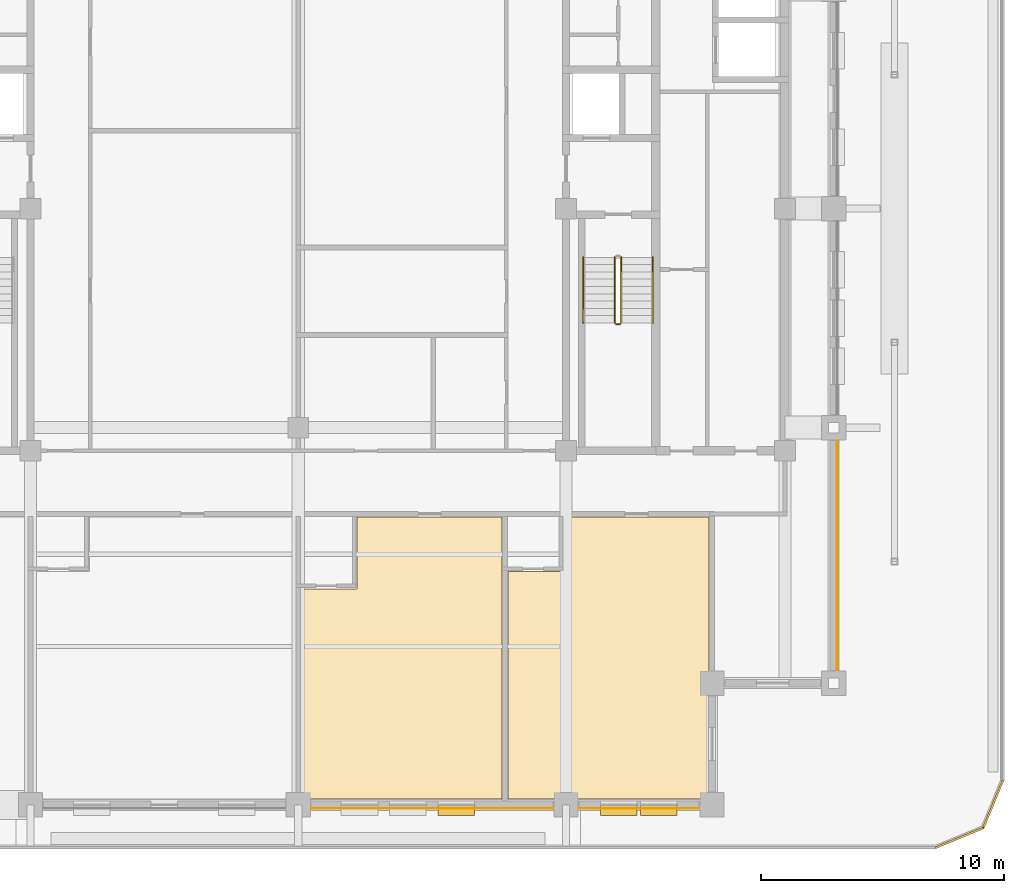
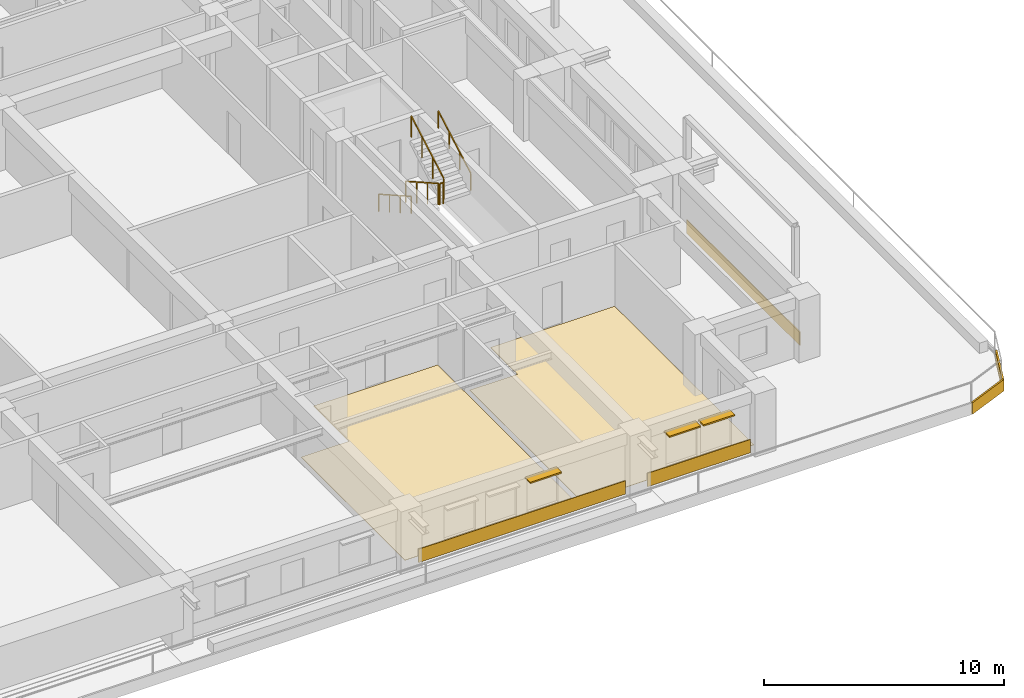
# One storey, part 16 of 18: 7 coverings, 5 railings, 3 shading devices.
"""IFC4 building model written with IfcOpenShell, lengths in metres."""

import ifcopenshell
import ifcopenshell.guid

model = None  # the IFC model being written
_history = None  # IfcOwnerHistory: only IFC2X3 demands one
_inside = {}  # id of a spatial element -> (the spatial element, [elements in it])
_under = {}  # id of a project, library or spatial element -> (it, [spatial elements below it])
_declared = {}  # id of a project -> (the project, [libraries it declares])
_typed = {}  # id of a type object -> (the type object, [elements of that type])
_made_of = {}  # id of a material, layer set ... -> (it, [elements and type objects made of it])


def new_model(schema):
    """Start an empty IFC model of exactly this schema.

    Asked for "IFC4X3", IfcOpenShell would pick the latest addendum, in which some entities
    have other attributes; the version numbers below select the first issue.
    IFC2X3 requires an IfcOwnerHistory on every rooted entity: one is made here for all.
    """
    global model, _history
    if schema == "IFC4X3":
        model = ifcopenshell.file(schema_version=(4, 3, 0, 0))
    else:
        model = ifcopenshell.file(schema=schema)
    _inside.clear()
    _under.clear()
    _declared.clear()
    _typed.clear()
    _made_of.clear()
    _history = None
    if model.schema == "IFC2X3":
        org = make("IfcOrganization", Name="unknown")
        user = make(
            "IfcPersonAndOrganization",
            ThePerson=make("IfcPerson", FamilyName="unknown"),
            TheOrganization=org,
        )
        app = make(
            "IfcApplication",
            ApplicationDeveloper=org,
            Version="unknown",
            ApplicationFullName="unknown",
            ApplicationIdentifier="unknown",
        )
        _history = make(
            "IfcOwnerHistory",
            OwningUser=user,
            OwningApplication=app,
            ChangeAction="ADDED",
            CreationDate=0,
        )
    return model


def make(cls, **values):
    """One entity of the class cls with the attributes given. An attribute that is None is left unset."""
    return model.create_entity(
        cls, **{name: value for name, value in values.items() if value is not None}
    )


def rooted(cls, **values):
    """An entity with a GlobalId (a new one), such as an element, a storey or a relation."""
    return make(cls, GlobalId=ifcopenshell.guid.new(), OwnerHistory=_history, **values)


def si_unit(unit_type, name, prefix=None):
    """IfcSIUnit, for example si_unit("LENGTHUNIT", "METRE", prefix="MILLI")."""
    return make("IfcSIUnit", UnitType=unit_type, Prefix=prefix, Name=name)


def assignment(units):
    """IfcUnitAssignment: the units of a project."""
    return None if units is None else make("IfcUnitAssignment", Units=units)


def point(xyz):
    """IfcCartesianPoint."""
    return None if xyz is None else make("IfcCartesianPoint", Coordinates=xyz)


def direction(xyz):
    """IfcDirection."""
    return None if xyz is None else make("IfcDirection", DirectionRatios=xyz)


def frame(location, z_axis=None, x_axis=None):
    """IfcAxis2Placement3D, a coordinate frame: its origin and axes. An axis left out is left unset."""
    return make(
        "IfcAxis2Placement3D",
        Location=point(location),
        Axis=direction(z_axis),
        RefDirection=direction(x_axis),
    )


def frame_2d(location, x_axis=None):
    """IfcAxis2Placement2D, a coordinate frame in the plane: its origin and x axis."""
    return make(
        "IfcAxis2Placement2D", Location=point(location), RefDirection=direction(x_axis)
    )


def origin():
    """The frame at (0, 0, 0) with its axes left unset."""
    return frame((0.0, 0.0, 0.0))


def origin_2d():
    """The frame at (0, 0) in the plane with its x axis left unset."""
    return frame_2d((0.0, 0.0))


def place(relative_to, where):
    """IfcLocalPlacement: puts the frame where relative to a parent placement (None: the world)."""
    return make(
        "IfcLocalPlacement", PlacementRelTo=relative_to, RelativePlacement=where
    )


def context(
    kind, dimensions, precision=None, world=None, true_north=None, identifier=None
):
    """IfcGeometricRepresentationContext, for example the 3D "Model" context."""
    return make(
        "IfcGeometricRepresentationContext",
        ContextIdentifier=identifier,
        ContextType=kind,
        CoordinateSpaceDimension=dimensions,
        Precision=precision,
        WorldCoordinateSystem=world,
        TrueNorth=true_north,
    )


def subcontext(parent, identifier, kind, view, scale=None):
    """IfcGeometricRepresentationSubContext, for example "Body" below "Model"."""
    return make(
        "IfcGeometricRepresentationSubContext",
        ContextIdentifier=identifier,
        ContextType=kind,
        ParentContext=parent,
        TargetScale=scale,
        TargetView=view,
    )


def project(units=None, contexts=None):
    """IfcProject with its units and contexts."""
    return rooted(
        "IfcProject",
        Name="project",
        RepresentationContexts=contexts,
        UnitsInContext=assignment(units),
    )


def spatial(cls, under=None, at=None, **own):
    """A site, building, storey or space (cls), placed at a placement, below another one or the project."""
    s = rooted(cls, ObjectPlacement=at, **own)
    if under is not None:
        _under.setdefault(under.id(), (under, []))[1].append(s)
    return s


def polyline(points):
    """IfcPolyline through the points."""
    return make("IfcPolyline", Points=[point(p) for p in points])


def profile(cls, at=None, kind="AREA", **sizes):
    """A parametric profile (cls). Its sizes go by their IFC names, for example OverallWidth=200.0."""
    return make(cls, ProfileType=kind, Position=at, **sizes)


def rectangle(**sizes):
    """IfcRectangleProfileDef."""
    return profile("IfcRectangleProfileDef", **sizes)


def outline(outer, holes=None, kind="AREA"):
    """IfcArbitraryClosedProfileDef: a profile drawn as a closed curve; with holes, ...WithVoids."""
    if holes is None:
        return make("IfcArbitraryClosedProfileDef", ProfileType=kind, OuterCurve=outer)
    return make(
        "IfcArbitraryProfileDefWithVoids",
        ProfileType=kind,
        OuterCurve=outer,
        InnerCurves=holes,
    )


def extrude(swept, where, along, depth):
    """IfcExtrudedAreaSolid: the profile swept, set in the frame where, extruded along a direction by depth."""
    return make(
        "IfcExtrudedAreaSolid",
        SweptArea=swept,
        Position=where,
        ExtrudedDirection=direction(along),
        Depth=depth,
    )


def shape(context_of_items, identifier, shape_type, items):
    """IfcShapeRepresentation: the items that make up one representation, for example the "Body"."""
    return make(
        "IfcShapeRepresentation",
        ContextOfItems=context_of_items,
        RepresentationIdentifier=identifier,
        RepresentationType=shape_type,
        Items=items,
    )


def material(Name=None, Category=None):
    """IfcMaterial."""
    return make("IfcMaterial", Name=Name, Category=Category)


def layer(
    of_material, thickness, ventilated=None, Name=None, Category=None, Priority=None
):
    """IfcMaterialLayer: one layer of a wall or slab, of a material (None: an air gap)."""
    return make(
        "IfcMaterialLayer",
        Material=of_material,
        LayerThickness=thickness,
        IsVentilated=ventilated,
        Name=Name,
        Category=Category,
        Priority=Priority,
    )


def layer_set(layers, Name=None):
    """IfcMaterialLayerSet."""
    return make("IfcMaterialLayerSet", MaterialLayers=layers, LayerSetName=Name)


def made_of(thing, what):
    """Note that an element or type object is made of a material, layer set ...; save() writes the relation."""
    if what is not None:
        _made_of.setdefault(what.id(), (what, []))[1].append(thing)
    return thing


def type_object(cls, material=None, **own):
    """A type object (cls), such as IfcWallType, which elements share."""
    return made_of(rooted(cls, **own), material)


def element(
    cls,
    number,
    at=None,
    inside=None,
    cuts=None,
    type_object=None,
    material=None,
    context=None,
    identifier="Body",
    shape_type=None,
    held_by="IfcProductDefinitionShape",
    body=None,
    shapes=None,
    **own,
):
    """One element of the class cls, such as IfcWall. Its Tag is "e" and its number.

    at: its placement. inside: the storey or other place that contains it. cuts: it is an
    opening in that element (IfcRelVoidsElement). A single representation is given by context,
    identifier, shape_type and body (its items); several are given by shapes. held_by: the class
    of the entity that holds the representations. save() writes the other relations.
    """
    e = rooted(cls, Tag="e%d" % number, ObjectPlacement=at, **own)
    if body is not None:
        shapes = [shape(context, identifier, shape_type, body)]
    if shapes is not None:
        e.Representation = make(held_by, Representations=shapes)
    if inside is not None:
        _inside.setdefault(inside.id(), (inside, []))[1].append(e)
    if cuts is not None:
        rooted(
            "IfcRelVoidsElement", RelatingBuildingElement=cuts, RelatedOpeningElement=e
        )
    if type_object is not None:
        _typed.setdefault(type_object.id(), (type_object, []))[1].append(e)
    return made_of(e, material)


def aggregate(whole, parts):
    """IfcRelAggregates: a whole, such as a stair, and the parts it consists of."""
    return rooted("IfcRelAggregates", RelatingObject=whole, RelatedObjects=parts)


def save(model, path):
    """Write the relations noted so far, then the file.

    IfcRelAggregates (storeys below a building ...), IfcRelContainedInSpatialStructure (elements
    in a storey), IfcRelDefinesByType, IfcRelAssociatesMaterial and IfcRelDeclares: one each for
    every whole, place, type object, material and project.
    """
    for whole, parts in _under.values():
        aggregate(whole, parts)
    for where, things in _inside.values():
        rooted(
            "IfcRelContainedInSpatialStructure",
            RelatedElements=things,
            RelatingStructure=where,
        )
    for kind, things in _typed.values():
        rooted("IfcRelDefinesByType", RelatedObjects=things, RelatingType=kind)
    for what, things in _made_of.values():
        rooted("IfcRelAssociatesMaterial", RelatedObjects=things, RelatingMaterial=what)
    for by, libraries in _declared.values():
        rooted("IfcRelDeclares", RelatingContext=by, RelatedDefinitions=libraries)
    model.write(path)


model = new_model("IFC4")

# Units and contexts
model_context = context("Model", 3, precision=1e-05, world=origin(), true_north=direction((0.0, 1.0)))
body_context = subcontext(model_context, "Body", "Model", "MODEL_VIEW")
ifc_project = project(units=[si_unit("LENGTHUNIT", "METRE"), si_unit("AREAUNIT", "SQUARE_METRE"), si_unit("VOLUMEUNIT", "CUBIC_METRE"), si_unit("PLANEANGLEUNIT", "RADIAN"), si_unit("MASSUNIT", "GRAM", prefix="KILO")], contexts=[model_context])

# Site, building, storey
site_placement = place(None, origin())
site = spatial("IfcSite", under=ifc_project, at=site_placement, CompositionType="ELEMENT")
building_placement = place(site_placement, origin())
building = spatial("IfcBuilding", under=site, at=building_placement, Name="Zulmaris Gate Convention Tower", CompositionType="ELEMENT")
storey_placement = place(building_placement, frame((0.0, 0.0, 191.4599609375)))
storey = spatial("IfcBuildingStorey", under=building, at=storey_placement, Name="L49", CompositionType="ELEMENT", Elevation=191.4599609375)

# Coverings
ifc_material_1 = material(Name="Precast concrete C40/50", Category="concrete")
ifc_layer_1 = layer(ifc_material_1, 0.0400390625, Name="Precast concrete C40/50")
ifc_layer_set_1 = layer_set([ifc_layer_1], Name="Precast concrete C40/50")
covering_type_1 = type_object("IfcCoveringType", Name="CLAD-SPANDREL-PRECAST", PredefinedType="CLADDING", material=ifc_layer_set_1)
covering_1_placement = place(storey_placement, frame((0.530029296875, -24.64990234375, 0.0), z_axis=(0.0, 0.0, 1.0), x_axis=(1.0, 0.0, 0.0)))
element("IfcCovering", 1, at=covering_1_placement, inside=storey, type_object=covering_type_1, Name="CLD-L49-S-2_0", PredefinedType="CLADDING", context=body_context, shape_type="SweptSolid", body=[
    extrude(rectangle(XDim=9.93994140625, YDim=0.0400390625, at=frame_2d((4.969970703125, 0.0))), origin(), (0.0, 0.0, 1.0), 0.679931640625),
])
covering_2_placement = place(storey_placement, frame((11.530029296875, -24.64990234375, 0.0), z_axis=(0.0, 0.0, 1.0), x_axis=(1.0, 0.0, 0.0)))
element("IfcCovering", 2, at=covering_2_placement, inside=storey, type_object=covering_type_1, Name="CLD-L49-S-3_0", PredefinedType="CLADDING", context=body_context, shape_type="SweptSolid", body=[
    extrude(rectangle(XDim=4.93994140625, YDim=0.0400390625, at=frame_2d((2.469970703125, 0.0))), origin(), (0.0, 0.0, 1.0), 0.679931640625),
])
covering_3_placement = place(storey_placement, frame((22.14990234375, -18.969970703125, 0.0), z_axis=(0.0, 0.0, 1.0), x_axis=(0.0, 1.0, 0.0)))
element("IfcCovering", 3, at=covering_3_placement, inside=storey, type_object=covering_type_1, Name="CLD-L49-E-0_0", PredefinedType="CLADDING", context=body_context, shape_type="SweptSolid", body=[
    extrude(rectangle(XDim=9.43994140625, YDim=0.0400390625, at=frame_2d((4.719970703125, 0.0))), origin(), (0.0, 0.0, 1.0), 0.679931640625),
])
ifc_material_2 = material(Name="White Glazed Architectural Precast Concrete C40/50", Category="concrete")
ifc_layer_2 = layer(ifc_material_2, 0.080078125, Name="White Glazed Architectural Precast Concrete C40/50")
ifc_layer_set_2 = layer_set([ifc_layer_2], Name="White Glazed Architectural Precast Concrete C40/50")
covering_type_2 = type_object("IfcCoveringType", Name="CLAD-TRAY-FASCIA", PredefinedType="CLADDING", material=ifc_layer_set_2)
covering_4_placement = place(storey_placement, frame((26.184814453125, -26.262939453125, -0.46484375), z_axis=(0.0, 0.0, 1.0), x_axis=(0.923873803533, 0.382697263049, 0.0)))
element("IfcCovering", 4, at=covering_4_placement, inside=storey, type_object=covering_type_2, Name="FSC-L49-TR-03", PredefinedType="CLADDING", context=body_context, shape_type="SweptSolid", body=[
    extrude(rectangle(XDim=2.142822265625, YDim=0.080078125, at=frame_2d((1.0712890625, 0.0))), origin(), (0.0, 0.0, 1.0), 0.5849609375),
])
covering_5_placement = place(storey_placement, frame((28.142822265625, -25.464599609375, -0.46484375), z_axis=(0.0, 0.0, 1.0), x_axis=(0.382656984709, 0.923890487046, 0.0)))
element("IfcCovering", 5, at=covering_5_placement, inside=storey, type_object=covering_type_2, Name="FSC-L49-TR-04", PredefinedType="CLADDING", context=body_context, shape_type="SweptSolid", body=[
    extrude(rectangle(XDim=2.14306640625, YDim=0.080078125, at=frame_2d((1.071533203125, 0.0))), origin(), (0.0, 0.0, 1.0), 0.5849609375),
])
ifc_material_3 = material(Name="Engineered Teak Parquet Flooring")
ifc_layer_3 = layer(ifc_material_3, 0.02001953125, Name="Engineered Teak Parquet Flooring")
ifc_layer_set_3 = layer_set([ifc_layer_3], Name="Engineered Teak Parquet Flooring")
covering_type_3 = type_object("IfcCoveringType", Name="FLR-TIMBER-18", PredefinedType="FLOORING", material=ifc_layer_set_3)
covering_6_placement = place(storey_placement, origin())
element("IfcCovering", 6, at=covering_6_placement, inside=storey, type_object=covering_type_3, Name="FLR-L49-R49", PredefinedType="FLOORING", context=body_context, shape_type="SweptSolid", body=[
    extrude(outline(polyline([(0.1201171875, -24.260009765625), (8.3798828125, -24.260009765625), (8.3798828125, -12.669921875), (2.419921875, -12.669921875), (2.419921875, -15.6201171875), (0.1201171875, -15.6201171875), (0.1201171875, -24.260009765625)])), origin(), (0.0, 0.0, 1.0), 0.02001953125),
])
covering_7_placement = place(storey_placement, origin())
element("IfcCovering", 7, at=covering_7_placement, inside=storey, type_object=covering_type_3, Name="FLR-L49-R51", PredefinedType="FLOORING", context=body_context, shape_type="SweptSolid", body=[
    extrude(outline(polyline([(8.6201171875, -24.260009765625), (16.8798828125, -24.260009765625), (16.8798828125, -12.669921875), (10.919921875, -12.669921875), (10.919921875, -14.919921875), (8.6201171875, -14.919921875), (8.6201171875, -24.260009765625)])), origin(), (0.0, 0.0, 1.0), 0.02001953125),
])

# Railings
ifc_material_4 = material(Name="Painted Galvanised Steel", Category="steel")
railing_type_1 = type_object("IfcRailingType", Name="RL-STG-1150", PredefinedType="GUARDRAIL", material=ifc_material_4)
railing_1_placement = place(storey_placement, frame((13.010009765625, -2.0, 0.169921875)))
element("IfcRailing", 8, at=railing_1_placement, inside=storey, type_object=railing_type_1, Name="L49 ST-2 stair guard 1", PredefinedType="GUARDRAIL", context=body_context, shape_type="SweptSolid", body=[
    extrude(rectangle(XDim=0.048095703125, YDim=0.048095703125, at=origin_2d()), frame((0.0, 0.0, 1.076171875), z_axis=(0.0, -0.870014312096, 0.49302646658), x_axis=(1.0, 0.0, 0.0)), (0.0, 0.0, 1.0), 3.103271484375),
    extrude(rectangle(XDim=0.0419921875, YDim=0.0419921875, at=origin_2d()), origin(), (0.0, 0.0, 1.0), 1.052001953125),
    extrude(rectangle(XDim=0.0419921875, YDim=0.0419921875, at=origin_2d()), frame((0.0, -0.89990234375, 0.510009765625)), (0.0, 0.0, 1.0), 1.052001953125),
    extrude(rectangle(XDim=0.0419921875, YDim=0.0419921875, at=origin_2d()), frame((0.0, -1.800048828125, 1.02001953125)), (0.0, 0.0, 1.0), 1.052001953125),
    extrude(rectangle(XDim=0.0419921875, YDim=0.0419921875, at=origin_2d()), frame((0.0, -2.699951171875, 1.530029296875)), (0.0, 0.0, 1.0), 1.052001953125),
])
railing_2_placement = place(storey_placement, frame((13.06005859375, -4.75, 1.699951171875)))
element("IfcRailing", 9, at=railing_2_placement, inside=storey, type_object=railing_type_1, Name="L49 ST-2 stair guard 2", PredefinedType="GUARDRAIL", context=body_context, shape_type="SweptSolid", body=[
    extrude(rectangle(XDim=0.048095703125, YDim=0.048095703125, at=origin_2d()), frame((0.0, 0.0, 1.076171875), z_axis=(1.0, 0.0, 0.0), x_axis=(0.0, 1.0, 0.0)), (0.0, 0.0, 1.0), 0.159912109375),
    extrude(rectangle(XDim=0.0419921875, YDim=0.0419921875, at=origin_2d()), origin(), (0.0, 0.0, 1.0), 1.052001953125),
    extrude(rectangle(XDim=0.0419921875, YDim=0.0419921875, at=origin_2d()), frame((0.159912109375, 0.0, 0.0)), (0.0, 0.0, 1.0), 1.052001953125),
])
railing_3_placement = place(storey_placement, frame((13.27001953125, -4.699951171875, 1.869873046875)))
element("IfcRailing", 10, at=railing_3_placement, inside=storey, type_object=railing_type_1, Name="L49 ST-2 stair guard 3", PredefinedType="GUARDRAIL", context=body_context, shape_type="SweptSolid", body=[
    extrude(rectangle(XDim=0.048095703125, YDim=0.048095703125, at=origin_2d()), frame((0.0, 0.0, 1.076171875), z_axis=(0.0, 0.870014312096, 0.49302646658), x_axis=(-1.0, 0.0, 0.0)), (0.0, 0.0, 1.0), 3.103271484375),
    extrude(rectangle(XDim=0.0419921875, YDim=0.0419921875, at=origin_2d()), origin(), (0.0, 0.0, 1.0), 1.052001953125),
    extrude(rectangle(XDim=0.0419921875, YDim=0.0419921875, at=origin_2d()), frame((0.0, 0.89990234375, 0.510009765625)), (0.0, 0.0, 1.0), 1.052001953125),
    extrude(rectangle(XDim=0.0419921875, YDim=0.0419921875, at=origin_2d()), frame((0.0, 1.800048828125, 1.02001953125)), (0.0, 0.0, 1.0), 1.052001953125),
    extrude(rectangle(XDim=0.0419921875, YDim=0.0419921875, at=origin_2d()), frame((0.0, 2.699951171875, 1.530029296875)), (0.0, 0.0, 1.0), 1.052001953125),
])
ifc_material_5 = material(Name="Brushed Stainless Steel", Category="steel")
railing_type_2 = type_object("IfcRailingType", Name="RL-STH-900", PredefinedType="HANDRAIL", material=ifc_material_5)
railing_4_placement = place(storey_placement, frame((11.7099609375, -2.0, 0.169921875)))
element("IfcRailing", 11, at=railing_4_placement, inside=storey, type_object=railing_type_2, Name="L49 ST-2 stair handrail 1", PredefinedType="HANDRAIL", context=body_context, shape_type="SweptSolid", body=[
    extrude(rectangle(XDim=0.048095703125, YDim=0.048095703125, at=origin_2d()), frame((0.0, 0.0, 0.8759765625), z_axis=(0.0, -0.870014312096, 0.49302646658), x_axis=(1.0, 0.0, 0.0)), (0.0, 0.0, 1.0), 3.103271484375),
    extrude(rectangle(XDim=0.0419921875, YDim=0.0419921875, at=origin_2d()), origin(), (0.0, 0.0, 1.0), 0.851806640625),
    extrude(rectangle(XDim=0.0419921875, YDim=0.0419921875, at=origin_2d()), frame((0.0, -0.89990234375, 0.510009765625)), (0.0, 0.0, 1.0), 0.851806640625),
    extrude(rectangle(XDim=0.0419921875, YDim=0.0419921875, at=origin_2d()), frame((0.0, -1.800048828125, 1.02001953125)), (0.0, 0.0, 1.0), 0.851806640625),
    extrude(rectangle(XDim=0.0419921875, YDim=0.0419921875, at=origin_2d()), frame((0.0, -2.699951171875, 1.530029296875)), (0.0, 0.0, 1.0), 0.851806640625),
])
railing_5_placement = place(storey_placement, frame((14.570068359375, -4.699951171875, 1.869873046875)))
element("IfcRailing", 12, at=railing_5_placement, inside=storey, type_object=railing_type_2, Name="L49 ST-2 stair handrail 2", PredefinedType="HANDRAIL", context=body_context, shape_type="SweptSolid", body=[
    extrude(rectangle(XDim=0.048095703125, YDim=0.048095703125, at=origin_2d()), frame((0.0, 0.0, 0.8759765625), z_axis=(0.0, 0.870014312096, 0.49302646658), x_axis=(-1.0, 0.0, 0.0)), (0.0, 0.0, 1.0), 3.103271484375),
    extrude(rectangle(XDim=0.0419921875, YDim=0.0419921875, at=origin_2d()), origin(), (0.0, 0.0, 1.0), 0.851806640625),
    extrude(rectangle(XDim=0.0419921875, YDim=0.0419921875, at=origin_2d()), frame((0.0, 0.89990234375, 0.510009765625)), (0.0, 0.0, 1.0), 0.851806640625),
    extrude(rectangle(XDim=0.0419921875, YDim=0.0419921875, at=origin_2d()), frame((0.0, 1.800048828125, 1.02001953125)), (0.0, 0.0, 1.0), 0.851806640625),
    extrude(rectangle(XDim=0.0419921875, YDim=0.0419921875, at=origin_2d()), frame((0.0, 2.699951171875, 1.530029296875)), (0.0, 0.0, 1.0), 0.851806640625),
])

# Shading devices
ifc_material_6 = material(Name="Glazed Ceramic Terracotta", Category="masonry")
ifc_layer_4 = layer(ifc_material_6, 0.070068359375, Name="Glazed Ceramic Terracotta")
ifc_layer_set_4 = layer_set([ifc_layer_4], Name="Glazed Ceramic Terracotta")
shading_device_type = type_object("IfcShadingDeviceType", Name="SHD-SUNSHADE-TC", PredefinedType="AWNING", material=ifc_layer_set_4)
for number, where, z_axis, x_axis, name in (
    (13, (5.743896484375, -24.719970703125, 2.35009765625), (0.0, 0.0, 1.0), (1.0, 0.0, 0.0), "SHD-EW-L49-S-2_0-3"),
    (14, (12.427001953125, -24.719970703125, 2.35009765625), (0.0, 0.0, 1.0), (1.0, 0.0, 0.0), "SHD-EW-L49-S-3_0-1"),
    (15, (14.072998046875, -24.719970703125, 2.35009765625), (0.0, 0.0, 1.0), (1.0, 0.0, 0.0), "SHD-EW-L49-S-3_0-2"),
):
    element("IfcShadingDevice", number, at=place(storey_placement, frame(where, z_axis=z_axis, x_axis=x_axis)), inside=storey, type_object=shading_device_type, Name=name, PredefinedType="AWNING", context=body_context, shape_type="SweptSolid", body=[
        extrude(rectangle(XDim=1.5, YDim=0.43994140625, at=frame_2d((0.75, 0.0))), origin(), (0.0, 0.0, 1.0), 0.06982421875),
    ])

save(model, "model.ifc")
